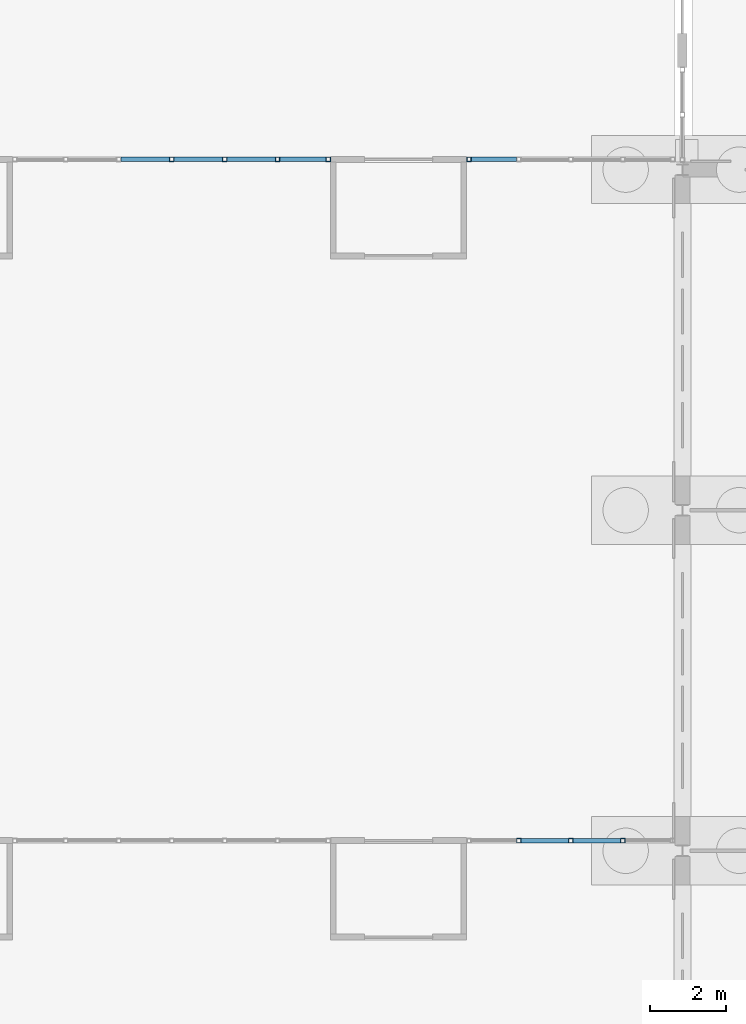
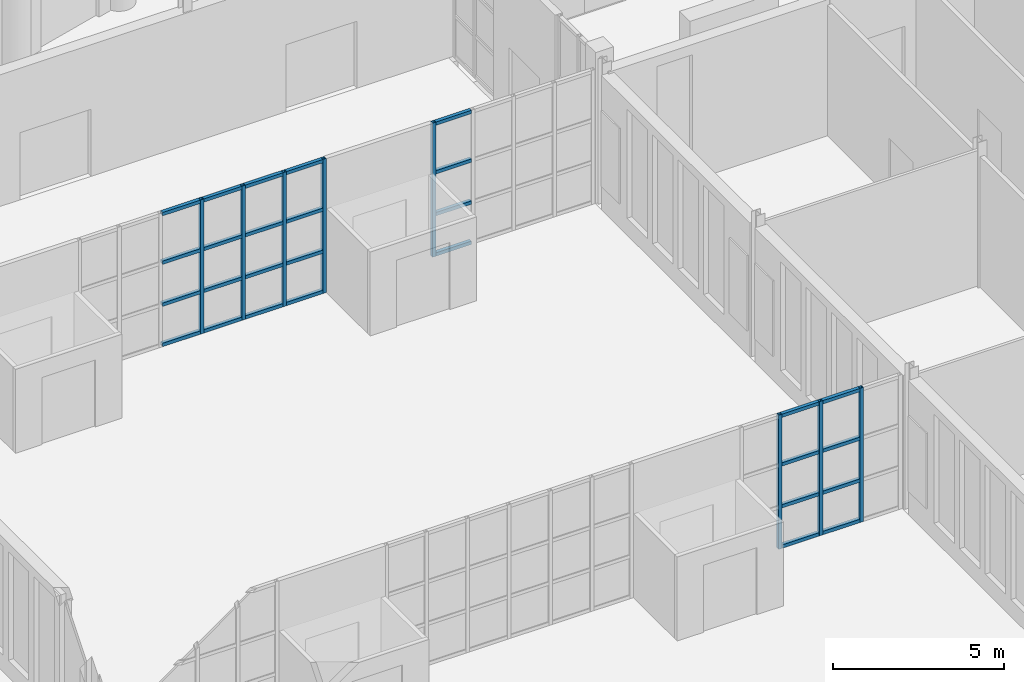
# One storey, part 59 of 168: 36 members, 3 elements without a shape of their own.
"""IFC4 building model written with IfcOpenShell, lengths in metres."""

from ifc_helpers import new_model, si_unit, direction, frame, origin, origin_2d, place, context, subcontext, project, spatial, hollow_rectangle, extrude, material, material_profile, profile_set, type_object, element, aggregate, save


model = new_model("IFC4")

# Units and contexts
model_context = context("Model", 3, precision=1e-05, world=origin(), true_north=direction((0.0, 1.0)))
body_context = subcontext(model_context, "Body", "Model", "MODEL_VIEW")
ifc_project = project(units=[si_unit("LENGTHUNIT", "METRE"), si_unit("AREAUNIT", "SQUARE_METRE"), si_unit("VOLUMEUNIT", "CUBIC_METRE"), si_unit("PLANEANGLEUNIT", "RADIAN"), si_unit("MASSUNIT", "GRAM", prefix="KILO")], contexts=[model_context])

# Site, building, storey
site_placement = place(None, origin())
site = spatial("IfcSite", under=ifc_project, at=site_placement, CompositionType="ELEMENT")
building_placement = place(site_placement, origin())
building = spatial("IfcBuilding", under=site, at=building_placement, Name="Golden Quay Civic Hall", CompositionType="ELEMENT")
storey_placement = place(building_placement, origin())
storey = spatial("IfcBuildingStorey", under=building, at=storey_placement, Name="L00", CompositionType="ELEMENT", Elevation=0.0)

# Curtain wall, members
ifc_material_1 = material(Name="Fire-resisting glass and steel", Category="steel")
curtain_wall_type = type_object("IfcCurtainWallType", Name="Fire-resisting glazed curtain wall EI 120", PredefinedType="NOTDEFINED", material=ifc_material_1)
curtain_wall_1_placement = place(storey_placement, origin())
curtain_wall_1 = element("IfcCurtainWall", 1, at=curtain_wall_1_placement, inside=storey, type_object=curtain_wall_type, Name="CW3 curtain wall", PredefinedType="NOTDEFINED")
ifc_material_2 = material(Name="Steel S355", Category="steel")
ifc_material_profile_1 = material_profile(ifc_material_2, hollow_rectangle(XDim=0.1201171875, YDim=0.1201171875, WallThickness=0.008056640625, at=origin_2d()), Name="SHS 120x120x8")
ifc_profile_set_1 = profile_set([ifc_material_profile_1], Name="Steel S355")
member_type_1 = type_object("IfcMemberType", Name="Fire-resisting steel mullion SHS 120x120x8", PredefinedType="MULLION", material=ifc_profile_set_1)
member_1_placement = place(storey_placement, frame((94.675048828125, 36.27001953125, 0.0), z_axis=(0.0, 0.0, 1.0), x_axis=(0.0, 1.0, 0.0)))
member_1 = element("IfcMember", 2, at=member_1_placement, type_object=member_type_1, Name="CW3 mullion 2", PredefinedType="MULLION", context=body_context, shape_type="SweptSolid", body=[
    extrude(hollow_rectangle(XDim=0.1201171875, YDim=0.1201171875, WallThickness=0.008056640625, at=origin_2d()), origin(), (0.0, 0.0, 1.0), 4.800048828125),
])
member_2_placement = place(storey_placement, frame((96.050048828125, 36.27001953125, 0.0), z_axis=(0.0, 0.0, 1.0), x_axis=(0.0, 1.0, 0.0)))
member_2 = element("IfcMember", 3, at=member_2_placement, type_object=member_type_1, Name="CW3 mullion 3", PredefinedType="MULLION", context=body_context, shape_type="SweptSolid", body=[
    extrude(hollow_rectangle(XDim=0.1201171875, YDim=0.1201171875, WallThickness=0.008056640625, at=origin_2d()), origin(), (0.0, 0.0, 1.0), 4.800048828125),
])
member_3_placement = place(storey_placement, frame((97.425048828125, 36.27001953125, 0.0), z_axis=(0.0, 0.0, 1.0), x_axis=(0.0, 1.0, 0.0)))
member_3 = element("IfcMember", 4, at=member_3_placement, type_object=member_type_1, Name="CW3 mullion 4", PredefinedType="MULLION", context=body_context, shape_type="SweptSolid", body=[
    extrude(hollow_rectangle(XDim=0.1201171875, YDim=0.1201171875, WallThickness=0.008056640625, at=origin_2d()), origin(), (0.0, 0.0, 1.0), 4.800048828125),
])

curtain_wall_2_placement = place(storey_placement, origin())
curtain_wall_2 = element("IfcCurtainWall", 5, at=curtain_wall_2_placement, inside=storey, type_object=curtain_wall_type, Name="CW3 curtain wall", PredefinedType="NOTDEFINED")
member_4_placement = place(storey_placement, frame((85.5, 54.27001953125, 0.0), z_axis=(0.0, 0.0, 1.0), x_axis=(0.0, 1.0, 0.0)))
member_4 = element("IfcMember", 6, at=member_4_placement, type_object=member_type_1, Name="CW3 mullion 4", PredefinedType="MULLION", context=body_context, shape_type="SweptSolid", body=[
    extrude(hollow_rectangle(XDim=0.1201171875, YDim=0.1201171875, WallThickness=0.008056640625, at=origin_2d()), origin(), (0.0, 0.0, 1.0), 4.800048828125),
])
member_5_placement = place(storey_placement, frame((86.89990234375, 54.27001953125, 0.0), z_axis=(0.0, 0.0, 1.0), x_axis=(0.0, 1.0, 0.0)))
member_5 = element("IfcMember", 7, at=member_5_placement, type_object=member_type_1, Name="CW3 mullion 5", PredefinedType="MULLION", context=body_context, shape_type="SweptSolid", body=[
    extrude(hollow_rectangle(XDim=0.1201171875, YDim=0.1201171875, WallThickness=0.008056640625, at=origin_2d()), origin(), (0.0, 0.0, 1.0), 4.800048828125),
])
member_6_placement = place(storey_placement, frame((88.300048828125, 54.27001953125, 0.0), z_axis=(0.0, 0.0, 1.0), x_axis=(0.0, 1.0, 0.0)))
member_6 = element("IfcMember", 8, at=member_6_placement, type_object=member_type_1, Name="CW3 mullion 6", PredefinedType="MULLION", context=body_context, shape_type="SweptSolid", body=[
    extrude(hollow_rectangle(XDim=0.1201171875, YDim=0.1201171875, WallThickness=0.008056640625, at=origin_2d()), origin(), (0.0, 0.0, 1.0), 4.800048828125),
])
member_7_placement = place(storey_placement, frame((89.639892578125, 54.27001953125, 0.0), z_axis=(0.0, 0.0, 1.0), x_axis=(0.0, 1.0, 0.0)))
member_7 = element("IfcMember", 9, at=member_7_placement, type_object=member_type_1, Name="CW3 mullion 7", PredefinedType="MULLION", context=body_context, shape_type="SweptSolid", body=[
    extrude(hollow_rectangle(XDim=0.1201171875, YDim=0.1201171875, WallThickness=0.008056640625, at=origin_2d()), origin(), (0.0, 0.0, 1.0), 4.800048828125),
])

# Curtain wall, member
curtain_wall_3_placement = place(storey_placement, origin())
curtain_wall_3 = element("IfcCurtainWall", 10, at=curtain_wall_3_placement, inside=storey, type_object=curtain_wall_type, Name="CW3 curtain wall", PredefinedType="NOTDEFINED")
member_8_placement = place(storey_placement, frame((93.360107421875, 54.27001953125, 0.0), z_axis=(0.0, 0.0, 1.0), x_axis=(0.0, 1.0, 0.0)))
member_8 = element("IfcMember", 11, at=member_8_placement, type_object=member_type_1, Name="CW3 mullion 1", PredefinedType="MULLION", context=body_context, shape_type="SweptSolid", body=[
    extrude(hollow_rectangle(XDim=0.1201171875, YDim=0.1201171875, WallThickness=0.008056640625, at=origin_2d()), origin(), (0.0, 0.0, 1.0), 4.800048828125),
])

# Member
ifc_material_3 = material(Name="Steel S355", Category="steel")
ifc_material_profile_2 = material_profile(ifc_material_3, hollow_rectangle(XDim=0.1201171875, YDim=0.1201171875, WallThickness=0.008056640625, at=origin_2d()), Name="SHS 120x120x8")
ifc_profile_set_2 = profile_set([ifc_material_profile_2], Name="Steel S355")
member_type_2 = type_object("IfcMemberType", Name="Fire-resisting steel transom SHS 120x120x8", PredefinedType="USERDEFINED", material=ifc_profile_set_2)
member_9_placement = place(storey_placement, frame((94.735107421875, 36.27001953125, 0.06005859375), z_axis=(1.0, 0.0, 0.0), x_axis=(0.0, 1.0, 0.0)))
member_9 = element("IfcMember", 12, at=member_9_placement, type_object=member_type_2, Name="CW3 transom 2.1", ObjectType="TRANSOM", PredefinedType="USERDEFINED", context=body_context, shape_type="SweptSolid", body=[
    extrude(hollow_rectangle(XDim=0.1201171875, YDim=0.1201171875, WallThickness=0.008056640625, at=origin_2d()), origin(), (0.0, 0.0, 1.0), 1.2548828125),
])

member_10_placement = place(storey_placement, frame((94.735107421875, 36.27001953125, 1.5), z_axis=(1.0, 0.0, 0.0), x_axis=(0.0, 1.0, 0.0)))
member_10 = element("IfcMember", 13, at=member_10_placement, type_object=member_type_2, Name="CW3 transom 2.2", ObjectType="TRANSOM", PredefinedType="USERDEFINED", context=body_context, shape_type="SweptSolid", body=[
    extrude(hollow_rectangle(XDim=0.1201171875, YDim=0.1201171875, WallThickness=0.008056640625, at=origin_2d()), origin(), (0.0, 0.0, 1.0), 1.2548828125),
])

member_11_placement = place(storey_placement, frame((94.735107421875, 36.27001953125, 3.0), z_axis=(1.0, 0.0, 0.0), x_axis=(0.0, 1.0, 0.0)))
member_11 = element("IfcMember", 14, at=member_11_placement, type_object=member_type_2, Name="CW3 transom 2.3", ObjectType="TRANSOM", PredefinedType="USERDEFINED", context=body_context, shape_type="SweptSolid", body=[
    extrude(hollow_rectangle(XDim=0.1201171875, YDim=0.1201171875, WallThickness=0.008056640625, at=origin_2d()), origin(), (0.0, 0.0, 1.0), 1.2548828125),
])

member_12_placement = place(storey_placement, frame((94.735107421875, 36.27001953125, 4.739990234375), z_axis=(1.0, 0.0, 0.0), x_axis=(0.0, 1.0, 0.0)))
member_12 = element("IfcMember", 15, at=member_12_placement, type_object=member_type_2, Name="CW3 transom 2.4", ObjectType="TRANSOM", PredefinedType="USERDEFINED", context=body_context, shape_type="SweptSolid", body=[
    extrude(hollow_rectangle(XDim=0.1201171875, YDim=0.1201171875, WallThickness=0.008056640625, at=origin_2d()), origin(), (0.0, 0.0, 1.0), 1.2548828125),
])

member_13_placement = place(storey_placement, frame((96.110107421875, 36.27001953125, 0.06005859375), z_axis=(1.0, 0.0, 0.0), x_axis=(0.0, 1.0, 0.0)))
member_13 = element("IfcMember", 16, at=member_13_placement, type_object=member_type_2, Name="CW3 transom 3.1", ObjectType="TRANSOM", PredefinedType="USERDEFINED", context=body_context, shape_type="SweptSolid", body=[
    extrude(hollow_rectangle(XDim=0.1201171875, YDim=0.1201171875, WallThickness=0.008056640625, at=origin_2d()), origin(), (0.0, 0.0, 1.0), 1.2548828125),
])

member_14_placement = place(storey_placement, frame((96.110107421875, 36.27001953125, 1.5), z_axis=(1.0, 0.0, 0.0), x_axis=(0.0, 1.0, 0.0)))
member_14 = element("IfcMember", 17, at=member_14_placement, type_object=member_type_2, Name="CW3 transom 3.2", ObjectType="TRANSOM", PredefinedType="USERDEFINED", context=body_context, shape_type="SweptSolid", body=[
    extrude(hollow_rectangle(XDim=0.1201171875, YDim=0.1201171875, WallThickness=0.008056640625, at=origin_2d()), origin(), (0.0, 0.0, 1.0), 1.2548828125),
])

member_15_placement = place(storey_placement, frame((96.110107421875, 36.27001953125, 3.0), z_axis=(1.0, 0.0, 0.0), x_axis=(0.0, 1.0, 0.0)))
member_15 = element("IfcMember", 18, at=member_15_placement, type_object=member_type_2, Name="CW3 transom 3.3", ObjectType="TRANSOM", PredefinedType="USERDEFINED", context=body_context, shape_type="SweptSolid", body=[
    extrude(hollow_rectangle(XDim=0.1201171875, YDim=0.1201171875, WallThickness=0.008056640625, at=origin_2d()), origin(), (0.0, 0.0, 1.0), 1.2548828125),
])

member_16_placement = place(storey_placement, frame((96.110107421875, 36.27001953125, 4.739990234375), z_axis=(1.0, 0.0, 0.0), x_axis=(0.0, 1.0, 0.0)))
member_16 = element("IfcMember", 19, at=member_16_placement, type_object=member_type_2, Name="CW3 transom 3.4", ObjectType="TRANSOM", PredefinedType="USERDEFINED", context=body_context, shape_type="SweptSolid", body=[
    extrude(hollow_rectangle(XDim=0.1201171875, YDim=0.1201171875, WallThickness=0.008056640625, at=origin_2d()), origin(), (0.0, 0.0, 1.0), 1.2548828125),
])

aggregate(curtain_wall_1, [member_1, member_2, member_3, member_9, member_10, member_11, member_12, member_13, member_14, member_15, member_16])

member_17_placement = place(storey_placement, frame((84.159912109375, 54.27001953125, 0.06005859375), z_axis=(1.0, 0.0, 0.0), x_axis=(0.0, 1.0, 0.0)))
member_17 = element("IfcMember", 20, at=member_17_placement, type_object=member_type_2, Name="CW3 transom 3.1", ObjectType="TRANSOM", PredefinedType="USERDEFINED", context=body_context, shape_type="SweptSolid", body=[
    extrude(hollow_rectangle(XDim=0.1201171875, YDim=0.1201171875, WallThickness=0.008056640625, at=origin_2d()), origin(), (0.0, 0.0, 1.0), 1.280029296875),
])

member_18_placement = place(storey_placement, frame((84.159912109375, 54.27001953125, 1.5), z_axis=(1.0, 0.0, 0.0), x_axis=(0.0, 1.0, 0.0)))
member_18 = element("IfcMember", 21, at=member_18_placement, type_object=member_type_2, Name="CW3 transom 3.2", ObjectType="TRANSOM", PredefinedType="USERDEFINED", context=body_context, shape_type="SweptSolid", body=[
    extrude(hollow_rectangle(XDim=0.1201171875, YDim=0.1201171875, WallThickness=0.008056640625, at=origin_2d()), origin(), (0.0, 0.0, 1.0), 1.280029296875),
])

member_19_placement = place(storey_placement, frame((84.159912109375, 54.27001953125, 3.0), z_axis=(1.0, 0.0, 0.0), x_axis=(0.0, 1.0, 0.0)))
member_19 = element("IfcMember", 22, at=member_19_placement, type_object=member_type_2, Name="CW3 transom 3.3", ObjectType="TRANSOM", PredefinedType="USERDEFINED", context=body_context, shape_type="SweptSolid", body=[
    extrude(hollow_rectangle(XDim=0.1201171875, YDim=0.1201171875, WallThickness=0.008056640625, at=origin_2d()), origin(), (0.0, 0.0, 1.0), 1.280029296875),
])

member_20_placement = place(storey_placement, frame((84.159912109375, 54.27001953125, 4.739990234375), z_axis=(1.0, 0.0, 0.0), x_axis=(0.0, 1.0, 0.0)))
member_20 = element("IfcMember", 23, at=member_20_placement, type_object=member_type_2, Name="CW3 transom 3.4", ObjectType="TRANSOM", PredefinedType="USERDEFINED", context=body_context, shape_type="SweptSolid", body=[
    extrude(hollow_rectangle(XDim=0.1201171875, YDim=0.1201171875, WallThickness=0.008056640625, at=origin_2d()), origin(), (0.0, 0.0, 1.0), 1.280029296875),
])

member_21_placement = place(storey_placement, frame((85.56005859375, 54.27001953125, 0.06005859375), z_axis=(1.0, 0.0, 0.0), x_axis=(0.0, 1.0, 0.0)))
member_21 = element("IfcMember", 24, at=member_21_placement, type_object=member_type_2, Name="CW3 transom 4.1", ObjectType="TRANSOM", PredefinedType="USERDEFINED", context=body_context, shape_type="SweptSolid", body=[
    extrude(hollow_rectangle(XDim=0.1201171875, YDim=0.1201171875, WallThickness=0.008056640625, at=origin_2d()), origin(), (0.0, 0.0, 1.0), 1.280029296875),
])

member_22_placement = place(storey_placement, frame((85.56005859375, 54.27001953125, 1.5), z_axis=(1.0, 0.0, 0.0), x_axis=(0.0, 1.0, 0.0)))
member_22 = element("IfcMember", 25, at=member_22_placement, type_object=member_type_2, Name="CW3 transom 4.2", ObjectType="TRANSOM", PredefinedType="USERDEFINED", context=body_context, shape_type="SweptSolid", body=[
    extrude(hollow_rectangle(XDim=0.1201171875, YDim=0.1201171875, WallThickness=0.008056640625, at=origin_2d()), origin(), (0.0, 0.0, 1.0), 1.280029296875),
])

member_23_placement = place(storey_placement, frame((85.56005859375, 54.27001953125, 3.0), z_axis=(1.0, 0.0, 0.0), x_axis=(0.0, 1.0, 0.0)))
member_23 = element("IfcMember", 26, at=member_23_placement, type_object=member_type_2, Name="CW3 transom 4.3", ObjectType="TRANSOM", PredefinedType="USERDEFINED", context=body_context, shape_type="SweptSolid", body=[
    extrude(hollow_rectangle(XDim=0.1201171875, YDim=0.1201171875, WallThickness=0.008056640625, at=origin_2d()), origin(), (0.0, 0.0, 1.0), 1.280029296875),
])

member_24_placement = place(storey_placement, frame((85.56005859375, 54.27001953125, 4.739990234375), z_axis=(1.0, 0.0, 0.0), x_axis=(0.0, 1.0, 0.0)))
member_24 = element("IfcMember", 27, at=member_24_placement, type_object=member_type_2, Name="CW3 transom 4.4", ObjectType="TRANSOM", PredefinedType="USERDEFINED", context=body_context, shape_type="SweptSolid", body=[
    extrude(hollow_rectangle(XDim=0.1201171875, YDim=0.1201171875, WallThickness=0.008056640625, at=origin_2d()), origin(), (0.0, 0.0, 1.0), 1.280029296875),
])

member_25_placement = place(storey_placement, frame((86.9599609375, 54.27001953125, 0.06005859375), z_axis=(1.0, 0.0, 0.0), x_axis=(0.0, 1.0, 0.0)))
member_25 = element("IfcMember", 28, at=member_25_placement, type_object=member_type_2, Name="CW3 transom 5.1", ObjectType="TRANSOM", PredefinedType="USERDEFINED", context=body_context, shape_type="SweptSolid", body=[
    extrude(hollow_rectangle(XDim=0.1201171875, YDim=0.1201171875, WallThickness=0.008056640625, at=origin_2d()), origin(), (0.0, 0.0, 1.0), 1.280029296875),
])

member_26_placement = place(storey_placement, frame((86.9599609375, 54.27001953125, 1.5), z_axis=(1.0, 0.0, 0.0), x_axis=(0.0, 1.0, 0.0)))
member_26 = element("IfcMember", 29, at=member_26_placement, type_object=member_type_2, Name="CW3 transom 5.2", ObjectType="TRANSOM", PredefinedType="USERDEFINED", context=body_context, shape_type="SweptSolid", body=[
    extrude(hollow_rectangle(XDim=0.1201171875, YDim=0.1201171875, WallThickness=0.008056640625, at=origin_2d()), origin(), (0.0, 0.0, 1.0), 1.280029296875),
])

member_27_placement = place(storey_placement, frame((86.9599609375, 54.27001953125, 3.0), z_axis=(1.0, 0.0, 0.0), x_axis=(0.0, 1.0, 0.0)))
member_27 = element("IfcMember", 30, at=member_27_placement, type_object=member_type_2, Name="CW3 transom 5.3", ObjectType="TRANSOM", PredefinedType="USERDEFINED", context=body_context, shape_type="SweptSolid", body=[
    extrude(hollow_rectangle(XDim=0.1201171875, YDim=0.1201171875, WallThickness=0.008056640625, at=origin_2d()), origin(), (0.0, 0.0, 1.0), 1.280029296875),
])

member_28_placement = place(storey_placement, frame((86.9599609375, 54.27001953125, 4.739990234375), z_axis=(1.0, 0.0, 0.0), x_axis=(0.0, 1.0, 0.0)))
member_28 = element("IfcMember", 31, at=member_28_placement, type_object=member_type_2, Name="CW3 transom 5.4", ObjectType="TRANSOM", PredefinedType="USERDEFINED", context=body_context, shape_type="SweptSolid", body=[
    extrude(hollow_rectangle(XDim=0.1201171875, YDim=0.1201171875, WallThickness=0.008056640625, at=origin_2d()), origin(), (0.0, 0.0, 1.0), 1.280029296875),
])

member_29_placement = place(storey_placement, frame((88.360107421875, 54.27001953125, 0.06005859375), z_axis=(1.0, 0.0, 0.0), x_axis=(0.0, 1.0, 0.0)))
member_29 = element("IfcMember", 32, at=member_29_placement, type_object=member_type_2, Name="CW3 transom 6.1", ObjectType="TRANSOM", PredefinedType="USERDEFINED", context=body_context, shape_type="SweptSolid", body=[
    extrude(hollow_rectangle(XDim=0.1201171875, YDim=0.1201171875, WallThickness=0.008056640625, at=origin_2d()), origin(), (0.0, 0.0, 1.0), 1.219970703125),
])

member_30_placement = place(storey_placement, frame((88.360107421875, 54.27001953125, 1.5), z_axis=(1.0, 0.0, 0.0), x_axis=(0.0, 1.0, 0.0)))
member_30 = element("IfcMember", 33, at=member_30_placement, type_object=member_type_2, Name="CW3 transom 6.2", ObjectType="TRANSOM", PredefinedType="USERDEFINED", context=body_context, shape_type="SweptSolid", body=[
    extrude(hollow_rectangle(XDim=0.1201171875, YDim=0.1201171875, WallThickness=0.008056640625, at=origin_2d()), origin(), (0.0, 0.0, 1.0), 1.219970703125),
])

member_31_placement = place(storey_placement, frame((88.360107421875, 54.27001953125, 3.0), z_axis=(1.0, 0.0, 0.0), x_axis=(0.0, 1.0, 0.0)))
member_31 = element("IfcMember", 34, at=member_31_placement, type_object=member_type_2, Name="CW3 transom 6.3", ObjectType="TRANSOM", PredefinedType="USERDEFINED", context=body_context, shape_type="SweptSolid", body=[
    extrude(hollow_rectangle(XDim=0.1201171875, YDim=0.1201171875, WallThickness=0.008056640625, at=origin_2d()), origin(), (0.0, 0.0, 1.0), 1.219970703125),
])

member_32_placement = place(storey_placement, frame((88.360107421875, 54.27001953125, 4.739990234375), z_axis=(1.0, 0.0, 0.0), x_axis=(0.0, 1.0, 0.0)))
member_32 = element("IfcMember", 35, at=member_32_placement, type_object=member_type_2, Name="CW3 transom 6.4", ObjectType="TRANSOM", PredefinedType="USERDEFINED", context=body_context, shape_type="SweptSolid", body=[
    extrude(hollow_rectangle(XDim=0.1201171875, YDim=0.1201171875, WallThickness=0.008056640625, at=origin_2d()), origin(), (0.0, 0.0, 1.0), 1.219970703125),
])

aggregate(curtain_wall_2, [member_4, member_5, member_6, member_7, member_17, member_18, member_19, member_20, member_21, member_22, member_23, member_24, member_25, member_26, member_27, member_28, member_29, member_30, member_31, member_32])

member_33_placement = place(storey_placement, frame((93.419921875, 54.27001953125, 0.06005859375), z_axis=(1.0, 0.0, 0.0), x_axis=(0.0, 1.0, 0.0)))
member_33 = element("IfcMember", 36, at=member_33_placement, type_object=member_type_2, Name="CW3 transom 1.1", ObjectType="TRANSOM", PredefinedType="USERDEFINED", context=body_context, shape_type="SweptSolid", body=[
    extrude(hollow_rectangle(XDim=0.1201171875, YDim=0.1201171875, WallThickness=0.008056640625, at=origin_2d()), origin(), (0.0, 0.0, 1.0), 1.195068359375),
])

member_34_placement = place(storey_placement, frame((93.419921875, 54.27001953125, 1.5), z_axis=(1.0, 0.0, 0.0), x_axis=(0.0, 1.0, 0.0)))
member_34 = element("IfcMember", 37, at=member_34_placement, type_object=member_type_2, Name="CW3 transom 1.2", ObjectType="TRANSOM", PredefinedType="USERDEFINED", context=body_context, shape_type="SweptSolid", body=[
    extrude(hollow_rectangle(XDim=0.1201171875, YDim=0.1201171875, WallThickness=0.008056640625, at=origin_2d()), origin(), (0.0, 0.0, 1.0), 1.195068359375),
])

member_35_placement = place(storey_placement, frame((93.419921875, 54.27001953125, 3.0), z_axis=(1.0, 0.0, 0.0), x_axis=(0.0, 1.0, 0.0)))
member_35 = element("IfcMember", 38, at=member_35_placement, type_object=member_type_2, Name="CW3 transom 1.3", ObjectType="TRANSOM", PredefinedType="USERDEFINED", context=body_context, shape_type="SweptSolid", body=[
    extrude(hollow_rectangle(XDim=0.1201171875, YDim=0.1201171875, WallThickness=0.008056640625, at=origin_2d()), origin(), (0.0, 0.0, 1.0), 1.195068359375),
])

member_36_placement = place(storey_placement, frame((93.419921875, 54.27001953125, 4.739990234375), z_axis=(1.0, 0.0, 0.0), x_axis=(0.0, 1.0, 0.0)))
member_36 = element("IfcMember", 39, at=member_36_placement, type_object=member_type_2, Name="CW3 transom 1.4", ObjectType="TRANSOM", PredefinedType="USERDEFINED", context=body_context, shape_type="SweptSolid", body=[
    extrude(hollow_rectangle(XDim=0.1201171875, YDim=0.1201171875, WallThickness=0.008056640625, at=origin_2d()), origin(), (0.0, 0.0, 1.0), 1.195068359375),
])

aggregate(curtain_wall_3, [member_8, member_33, member_34, member_35, member_36])

save(model, "model.ifc")
